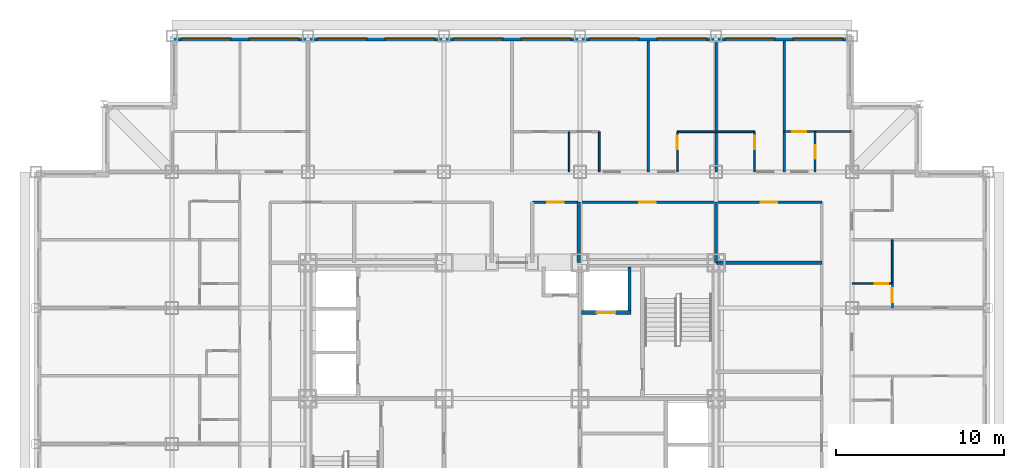
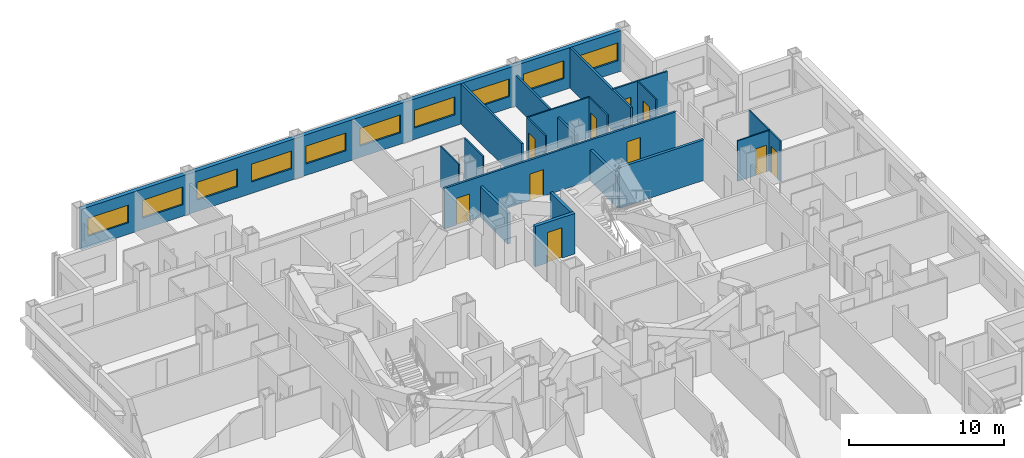
# One storey, part 10 of 12: 20 walls, 10 doors, 10 windows, 20 openings.
"""IFC4 building model written with IfcOpenShell, lengths in metres."""

from ifc_helpers import new_model, si_unit, direction, frame, frame_2d, origin, place, context, subcontext, project, spatial, rectangle, extrude, material, layer, layer_set, type_object, element, fill, save


model = new_model("IFC4")

# Units and contexts
model_context = context("Model", 3, precision=1e-05, world=origin(), true_north=direction((0.0, 1.0)))
body_context = subcontext(model_context, "Body", "Model", "MODEL_VIEW")
ifc_project = project(units=[si_unit("LENGTHUNIT", "METRE"), si_unit("AREAUNIT", "SQUARE_METRE"), si_unit("VOLUMEUNIT", "CUBIC_METRE"), si_unit("PLANEANGLEUNIT", "RADIAN"), si_unit("MASSUNIT", "GRAM", prefix="KILO")], contexts=[model_context])

# Site, building, storey
site_placement = place(None, origin())
site = spatial("IfcSite", under=ifc_project, at=site_placement, CompositionType="ELEMENT")
building_placement = place(site_placement, origin())
building = spatial("IfcBuilding", under=site, at=building_placement, Name="Kopane Lantern Tower", CompositionType="ELEMENT")
storey_placement = place(building_placement, frame((0.0, 0.0, 144.199951171875)))
storey = spatial("IfcBuildingStorey", under=building, at=storey_placement, Name="L37", CompositionType="ELEMENT", Elevation=144.199951171875)

# Wall, opening, door
ifc_material_1 = material(Name="Gypsum board on steel studs", Category="steel")
ifc_layer_1 = layer(ifc_material_1, 0.1201171875)
ifc_layer_set_1 = layer_set([ifc_layer_1], Name="APARTMENT INTERNAL WALL 120")
wall_type_1 = type_object("IfcWallType", Name="APARTMENT INTERNAL WALL 120", PredefinedType="PARTITIONING", material=ifc_layer_set_1)
wall_1_placement = place(storey_placement, frame((44.550048828125, 48.300048828125, 0.0), z_axis=(0.0, 0.0, 1.0), x_axis=(1.0, 0.0, 0.0)))
wall_1 = element("IfcWall", 1, at=wall_1_placement, inside=storey, type_object=wall_type_1, Name="Apartment Internal Wall 120 L37", PredefinedType="PARTITIONING", context=body_context, shape_type="SweptSolid", body=[
    extrude(rectangle(XDim=4.050048828125, YDim=0.1201171875, at=frame_2d((2.02490234375, 0.0))), origin(), (0.0, 0.0, 1.0), 3.18994140625),
])
opening_1_placement = place(wall_1_placement, frame((0.47509765625, 0.0, 0.0)))
opening_1 = element("IfcOpeningElement", 2, at=opening_1_placement, cuts=wall_1, Name="Opening L37-068", PredefinedType="OPENING", context=body_context, shape_type="SweptSolid", body=[
    extrude(rectangle(XDim=0.85009765625, YDim=2.10009765625, at=frame_2d((0.425048828125, 1.050048828125))), frame((0.0, 0.070068359375, 0.0), z_axis=(0.0, -1.0, 0.0), x_axis=(1.0, 0.0, 0.0)), (0.0, 0.0, 1.0), 0.14013671875),
])
ifc_material_2 = material(Name="Timber door set", Category="wood")
door_type_1 = type_object("IfcDoorType", Name="DOOR D4 850x2100", OperationType="SINGLE_SWING_LEFT", PredefinedType="DOOR", material=ifc_material_2)
door_1_placement = place(opening_1_placement, origin())
door_1 = element("IfcDoor", 3, at=door_1_placement, inside=storey, type_object=door_type_1, Name="Door L37-068", OperationType="SINGLE_SWING_LEFT", OverallHeight=2.10009765625, OverallWidth=0.85009765625, PredefinedType="DOOR", context=body_context, shape_type="SweptSolid", body=[
    extrude(rectangle(XDim=0.85009765625, YDim=2.10009765625, at=frame_2d((0.425048828125, 1.050048828125))), frame((0.0, 0.02490234375, 0.0), z_axis=(0.0, -1.0, 0.0), x_axis=(1.0, 0.0, 0.0)), (0.0, 0.0, 1.0), 0.050048828125),
])
fill(opening_1, door_1)

wall_2_placement = place(storey_placement, frame((51.0, 39.260009765625, 0.0), z_axis=(0.0, 0.0, 1.0), x_axis=(0.0, -1.0, 0.0)))
wall_2 = element("IfcWall", 4, at=wall_2_placement, inside=storey, type_object=wall_type_1, Name="Apartment Internal Wall 120 L37", PredefinedType="PARTITIONING", context=body_context, shape_type="SweptSolid", body=[
    extrude(rectangle(XDim=1.4599609375, YDim=0.1201171875, at=frame_2d((0.72998046875, 0.0))), origin(), (0.0, 0.0, 1.0), 3.18994140625),
])
opening_2_placement = place(wall_2_placement, frame((0.27490234375, 0.0, 0.0)))
opening_2 = element("IfcOpeningElement", 5, at=opening_2_placement, cuts=wall_2, Name="Opening L37-080", PredefinedType="OPENING", context=body_context, shape_type="SweptSolid", body=[
    extrude(rectangle(XDim=0.85009765625, YDim=2.10009765625, at=frame_2d((0.425048828125, 1.050048828125))), frame((0.0, 0.070068359375, 0.0), z_axis=(0.0, -1.0, 0.0), x_axis=(1.0, 0.0, 0.0)), (0.0, 0.0, 1.0), 0.14013671875),
])
door_2_placement = place(opening_2_placement, origin())
door_2 = element("IfcDoor", 6, at=door_2_placement, inside=storey, type_object=door_type_1, Name="Door L37-080", OperationType="SINGLE_SWING_RIGHT", OverallHeight=2.10009765625, OverallWidth=0.85009765625, PredefinedType="DOOR", context=body_context, shape_type="SweptSolid", body=[
    extrude(rectangle(XDim=0.85009765625, YDim=2.10009765625, at=frame_2d((0.425048828125, 1.050048828125))), frame((0.0, 0.02490234375, 0.0), z_axis=(0.0, -1.0, 0.0), x_axis=(1.0, 0.0, 0.0)), (0.0, 0.0, 1.0), 0.050048828125),
])
fill(opening_2, door_2)

# Walls
ifc_material_3 = material(Name="Moisture-resistant board on steel studs", Category="steel")
ifc_layer_2 = layer(ifc_material_3, 0.10009765625)
ifc_layer_set_2 = layer_set([ifc_layer_2], Name="BATHROOM WALL 100")
wall_type_2 = type_object("IfcWallType", Name="BATHROOM WALL 100", PredefinedType="PARTITIONING", material=ifc_layer_set_2)
for number, where, z_axis, x_axis, name in (
    (7, (31.75, 45.89990234375, 0.0), (0.0, 0.0, 1.0), (0.0, 1.0, 0.0), "Bathroom Wall 100 L37"),
    (8, (33.550048828125, 45.89990234375, 0.0), (0.0, 0.0, 1.0), (0.0, 1.0, 0.0), "Bathroom Wall 100 L37"),
):
    element("IfcWall", number, at=place(storey_placement, frame(where, z_axis=z_axis, x_axis=x_axis)), inside=storey, type_object=wall_type_2, Name=name, PredefinedType="PARTITIONING", context=body_context, shape_type="SweptSolid", body=[
        extrude(rectangle(XDim=2.400146484375, YDim=0.10009765625, at=frame_2d((1.2001953125, 0.0))), origin(), (0.0, 0.0, 1.0), 3.18994140625),
    ])
wall_3_placement = place(storey_placement, frame((38.199951171875, 48.300048828125, 0.0), z_axis=(0.0, 0.0, 1.0), x_axis=(1.0, 0.0, 0.0)))
element("IfcWall", 9, at=wall_3_placement, inside=storey, type_object=wall_type_2, Name="Bathroom Wall 100 L37", PredefinedType="PARTITIONING", context=body_context, shape_type="SweptSolid", body=[
    extrude(rectangle(XDim=4.60009765625, YDim=0.10009765625, at=frame_2d((2.300048828125, 0.0))), origin(), (0.0, 0.0, 1.0), 3.18994140625),
])

# Wall, opening, door
wall_4_placement = place(storey_placement, frame((38.199951171875, 45.89990234375, 0.0), z_axis=(0.0, 0.0, 1.0), x_axis=(0.0, 1.0, 0.0)))
wall_4 = element("IfcWall", 10, at=wall_4_placement, inside=storey, type_object=wall_type_2, Name="Bathroom Wall 100 L37", PredefinedType="PARTITIONING", context=body_context, shape_type="SweptSolid", body=[
    extrude(rectangle(XDim=2.400146484375, YDim=0.10009765625, at=frame_2d((1.2001953125, 0.0))), origin(), (0.0, 0.0, 1.0), 3.18994140625),
])
opening_3_placement = place(wall_4_placement, frame((1.35009765625, 0.0, 0.0)))
opening_3 = element("IfcOpeningElement", 11, at=opening_3_placement, cuts=wall_4, Name="Opening L37-030", PredefinedType="OPENING", context=body_context, shape_type="SweptSolid", body=[
    extrude(rectangle(XDim=0.800048828125, YDim=2.10009765625, at=frame_2d((0.39990234375, 1.050048828125))), frame((0.0, 0.06005859375, 0.0), z_axis=(0.0, -1.0, 0.0), x_axis=(1.0, 0.0, 0.0)), (0.0, 0.0, 1.0), 0.1201171875),
])
ifc_material_4 = material(Name="Timber door set", Category="wood")
door_type_2 = type_object("IfcDoorType", Name="DOOR D2 800x2100", OperationType="SINGLE_SWING_LEFT", PredefinedType="DOOR", material=ifc_material_4)
door_3_placement = place(opening_3_placement, origin())
door_3 = element("IfcDoor", 12, at=door_3_placement, inside=storey, type_object=door_type_2, Name="Door L37-030", OperationType="SINGLE_SWING_LEFT", OverallHeight=2.10009765625, OverallWidth=0.800048828125, PredefinedType="DOOR", context=body_context, shape_type="SweptSolid", body=[
    extrude(rectangle(XDim=0.800048828125, YDim=2.10009765625, at=frame_2d((0.39990234375, 1.050048828125))), frame((0.0, 0.02490234375, 0.0), z_axis=(0.0, -1.0, 0.0), x_axis=(1.0, 0.0, 0.0)), (0.0, 0.0, 1.0), 0.050048828125),
])
fill(opening_3, door_3)

wall_5_placement = place(storey_placement, frame((42.800048828125, 45.89990234375, 0.0), z_axis=(0.0, 0.0, 1.0), x_axis=(0.0, 1.0, 0.0)))
wall_5 = element("IfcWall", 13, at=wall_5_placement, inside=storey, type_object=wall_type_2, Name="Bathroom Wall 100 L37", PredefinedType="PARTITIONING", context=body_context, shape_type="SweptSolid", body=[
    extrude(rectangle(XDim=2.400146484375, YDim=0.10009765625, at=frame_2d((1.2001953125, 0.0))), origin(), (0.0, 0.0, 1.0), 3.18994140625),
])
opening_4_placement = place(wall_5_placement, frame((1.35009765625, 0.0, 0.0)))
opening_4 = element("IfcOpeningElement", 14, at=opening_4_placement, cuts=wall_5, Name="Opening L37-032", PredefinedType="OPENING", context=body_context, shape_type="SweptSolid", body=[
    extrude(rectangle(XDim=0.800048828125, YDim=2.10009765625, at=frame_2d((0.39990234375, 1.050048828125))), frame((0.0, 0.06005859375, 0.0), z_axis=(0.0, -1.0, 0.0), x_axis=(1.0, 0.0, 0.0)), (0.0, 0.0, 1.0), 0.1201171875),
])
door_4_placement = place(opening_4_placement, origin())
door_4 = element("IfcDoor", 15, at=door_4_placement, inside=storey, type_object=door_type_2, Name="Door L37-032", OperationType="SINGLE_SWING_RIGHT", OverallHeight=2.10009765625, OverallWidth=0.800048828125, PredefinedType="DOOR", context=body_context, shape_type="SweptSolid", body=[
    extrude(rectangle(XDim=0.800048828125, YDim=2.10009765625, at=frame_2d((0.39990234375, 1.050048828125))), frame((0.0, 0.02490234375, 0.0), z_axis=(0.0, -1.0, 0.0), x_axis=(1.0, 0.0, 0.0)), (0.0, 0.0, 1.0), 0.050048828125),
])
fill(opening_4, door_4)

# Wall
wall_6_placement = place(storey_placement, frame((51.0, 39.25, 0.0), z_axis=(0.0, 0.0, 1.0), x_axis=(0.0, 1.0, 0.0)))
element("IfcWall", 16, at=wall_6_placement, inside=storey, type_object=wall_type_2, Name="Bathroom Wall 100 L37", PredefinedType="PARTITIONING", context=body_context, shape_type="SweptSolid", body=[
    extrude(rectangle(XDim=2.60009765625, YDim=0.10009765625, at=frame_2d((1.300048828125, 0.0))), origin(), (0.0, 0.0, 1.0), 3.18994140625),
])

# Wall, opening, door
wall_7_placement = place(storey_placement, frame((48.60009765625, 39.25, 0.0), z_axis=(0.0, 0.0, 1.0), x_axis=(1.0, 0.0, 0.0)))
wall_7 = element("IfcWall", 17, at=wall_7_placement, inside=storey, type_object=wall_type_2, Name="Bathroom Wall 100 L37", PredefinedType="PARTITIONING", context=body_context, shape_type="SweptSolid", body=[
    extrude(rectangle(XDim=2.39990234375, YDim=0.10009765625, at=frame_2d((1.199951171875, 0.0))), origin(), (0.0, 0.0, 1.0), 3.18994140625),
])
opening_5_placement = place(wall_7_placement, frame((1.35009765625, 0.0, 0.0)))
opening_5 = element("IfcOpeningElement", 18, at=opening_5_placement, cuts=wall_7, Name="Opening L37-052", PredefinedType="OPENING", context=body_context, shape_type="SweptSolid", body=[
    extrude(rectangle(XDim=0.800048828125, YDim=2.10009765625, at=frame_2d((0.39990234375, 1.050048828125))), frame((0.0, 0.06005859375, 0.0), z_axis=(0.0, -1.0, 0.0), x_axis=(1.0, 0.0, 0.0)), (0.0, 0.0, 1.0), 0.1201171875),
])
door_5_placement = place(opening_5_placement, origin())
door_5 = element("IfcDoor", 19, at=door_5_placement, inside=storey, type_object=door_type_2, Name="Door L37-052", OperationType="SINGLE_SWING_LEFT", OverallHeight=2.10009765625, OverallWidth=0.800048828125, PredefinedType="DOOR", context=body_context, shape_type="SweptSolid", body=[
    extrude(rectangle(XDim=0.800048828125, YDim=2.10009765625, at=frame_2d((0.39990234375, 1.050048828125))), frame((0.0, 0.02490234375, 0.0), z_axis=(0.0, -1.0, 0.0), x_axis=(1.0, 0.0, 0.0)), (0.0, 0.0, 1.0), 0.050048828125),
])
fill(opening_5, door_5)

wall_8_placement = place(storey_placement, frame((46.39990234375, 45.89990234375, 0.0), z_axis=(0.0, 0.0, 1.0), x_axis=(0.0, 1.0, 0.0)))
wall_8 = element("IfcWall", 20, at=wall_8_placement, inside=storey, type_object=wall_type_2, Name="Bathroom Wall 100 L37", PredefinedType="PARTITIONING", context=body_context, shape_type="SweptSolid", body=[
    extrude(rectangle(XDim=2.400146484375, YDim=0.10009765625, at=frame_2d((1.2001953125, 0.0))), origin(), (0.0, 0.0, 1.0), 3.18994140625),
])
opening_6_placement = place(wall_8_placement, frame((0.800048828125, 0.0, 0.0)))
opening_6 = element("IfcOpeningElement", 21, at=opening_6_placement, cuts=wall_8, Name="Opening L37-066", PredefinedType="OPENING", context=body_context, shape_type="SweptSolid", body=[
    extrude(rectangle(XDim=0.800048828125, YDim=2.10009765625, at=frame_2d((0.39990234375, 1.050048828125))), frame((0.0, 0.06005859375, 0.0), z_axis=(0.0, -1.0, 0.0), x_axis=(1.0, 0.0, 0.0)), (0.0, 0.0, 1.0), 0.1201171875),
])
door_6_placement = place(opening_6_placement, origin())
door_6 = element("IfcDoor", 22, at=door_6_placement, inside=storey, type_object=door_type_2, Name="Door L37-066", OperationType="SINGLE_SWING_RIGHT", OverallHeight=2.10009765625, OverallWidth=0.800048828125, PredefinedType="DOOR", context=body_context, shape_type="SweptSolid", body=[
    extrude(rectangle(XDim=0.800048828125, YDim=2.10009765625, at=frame_2d((0.39990234375, 1.050048828125))), frame((0.0, 0.02490234375, 0.0), z_axis=(0.0, -1.0, 0.0), x_axis=(1.0, 0.0, 0.0)), (0.0, 0.0, 1.0), 0.050048828125),
])
fill(opening_6, door_6)

ifc_material_5 = material(Name="Gypsum shaft wall EI 120", Category="gypsum")
ifc_layer_3 = layer(ifc_material_5, 0.25)
ifc_layer_set_3 = layer_set([ifc_layer_3], Name="CORE SHAFT WALL 250 EI 120")
wall_type_3 = type_object("IfcWallType", Name="CORE SHAFT WALL 250 EI 120", PredefinedType="SOLIDWALL", material=ifc_layer_set_3)
wall_9_placement = place(storey_placement, frame((32.5, 37.52490234375, 0.0), z_axis=(0.0, 0.0, 1.0), x_axis=(1.0, 0.0, 0.0)))
wall_9 = element("IfcWall", 23, at=wall_9_placement, inside=storey, type_object=wall_type_3, Name="Core shaft wall L37 YLF2", PredefinedType="SOLIDWALL", context=body_context, shape_type="SweptSolid", body=[
    extrude(rectangle(XDim=2.949951171875, YDim=0.25, at=frame_2d((1.47509765625, 0.0))), origin(), (0.0, 0.0, 1.0), 3.18994140625),
])
opening_7_placement = place(wall_9_placement, frame((0.89990234375, 0.0, 0.0)))
opening_7 = element("IfcOpeningElement", 24, at=opening_7_placement, cuts=wall_9, Name="Opening 37.LD-LF2", PredefinedType="OPENING", context=body_context, shape_type="SweptSolid", body=[
    extrude(rectangle(XDim=1.10009765625, YDim=2.39990234375, at=frame_2d((0.550048828125, 1.199951171875))), frame((0.0, 0.135009765625, 0.0), z_axis=(0.0, -1.0, 0.0), x_axis=(1.0, 0.0, 0.0)), (0.0, 0.0, 1.0), 0.27001953125),
])
ifc_material_6 = material(Name="Steel door set", Category="steel")
door_type_3 = type_object("IfcDoorType", Name="LIFT LANDING DOOR 1100x2400 FD60", OperationType="DOUBLE_DOOR_SLIDING", PredefinedType="DOOR", material=ifc_material_6)
door_7_placement = place(opening_7_placement, origin())
door_7 = element("IfcDoor", 25, at=door_7_placement, inside=storey, type_object=door_type_3, Name="Landing door LF2 L37", OperationType="DOUBLE_DOOR_SLIDING", OverallHeight=2.39990234375, OverallWidth=1.10009765625, PredefinedType="DOOR", context=body_context, shape_type="SweptSolid", body=[
    extrude(rectangle(XDim=1.10009765625, YDim=2.39990234375, at=frame_2d((0.550048828125, 1.199951171875))), frame((0.0, 0.02490234375, 0.0), z_axis=(0.0, -1.0, 0.0), x_axis=(1.0, 0.0, 0.0)), (0.0, 0.0, 1.0), 0.050048828125),
])
fill(opening_7, door_7)

# Wall, openings, doors
ifc_material_7 = material(Name="Gypsum board on steel studs", Category="steel")
ifc_layer_4 = layer(ifc_material_7, 0.14990234375)
ifc_layer_set_4 = layer_set([ifc_layer_4], Name="CORRIDOR WALL 150 EI 60")
wall_type_4 = type_object("IfcWallType", Name="CORRIDOR WALL 150 EI 60", PredefinedType="PARTITIONING", material=ifc_layer_set_4)
wall_10_placement = place(storey_placement, frame((46.800048828125, 44.10009765625, 0.0), z_axis=(0.0, 0.0, 1.0), x_axis=(-1.0, 0.0, 0.0)))
wall_10 = element("IfcWall", 26, at=wall_10_placement, inside=storey, type_object=wall_type_4, Name="Corridor Wall 150 Ei 60 L37", PredefinedType="PARTITIONING", context=body_context, shape_type="SweptSolid", body=[
    extrude(rectangle(XDim=17.239990234375, YDim=0.14990234375, at=frame_2d((8.6201171875, 0.0))), origin(), (0.0, 0.0, 1.0), 3.18994140625),
])
opening_8_placement = place(wall_10_placement, frame((15.361083984375, 0.0, 0.0)))
opening_8 = element("IfcOpeningElement", 27, at=opening_8_placement, cuts=wall_10, Name="Opening L37-009", PredefinedType="OPENING", context=body_context, shape_type="SweptSolid", body=[
    extrude(rectangle(XDim=1.0, YDim=2.10009765625, at=frame_2d((0.5, 1.050048828125))), frame((0.0, 0.0849609375, 0.0), z_axis=(0.0, -1.0, 0.0), x_axis=(1.0, 0.0, 0.0)), (0.0, 0.0, 1.0), 0.169921875),
])
opening_9_placement = place(wall_10_placement, frame((9.885986328125, 0.0, 0.0)))
opening_9 = element("IfcOpeningElement", 28, at=opening_9_placement, cuts=wall_10, Name="Opening L37-010", PredefinedType="OPENING", context=body_context, shape_type="SweptSolid", body=[
    extrude(rectangle(XDim=1.0, YDim=2.10009765625, at=frame_2d((0.5, 1.050048828125))), frame((0.0, 0.0849609375, 0.0), z_axis=(0.0, -1.0, 0.0), x_axis=(1.0, 0.0, 0.0)), (0.0, 0.0, 1.0), 0.169921875),
])
opening_10_placement = place(wall_10_placement, frame((2.64990234375, 0.0, 0.0)))
opening_10 = element("IfcOpeningElement", 29, at=opening_10_placement, cuts=wall_10, Name="Opening L37-011", PredefinedType="OPENING", context=body_context, shape_type="SweptSolid", body=[
    extrude(rectangle(XDim=1.0, YDim=2.10009765625, at=frame_2d((0.5, 1.050048828125))), frame((0.0, 0.0849609375, 0.0), z_axis=(0.0, -1.0, 0.0), x_axis=(1.0, 0.0, 0.0)), (0.0, 0.0, 1.0), 0.169921875),
])
ifc_material_8 = material(Name="Steel door set", Category="steel")
door_type_4 = type_object("IfcDoorType", Name="DOOR D5 1000x2100 FD60", OperationType="SINGLE_SWING_LEFT", PredefinedType="DOOR", material=ifc_material_8)
door_8_placement = place(opening_8_placement, origin())
door_8 = element("IfcDoor", 30, at=door_8_placement, inside=storey, type_object=door_type_4, Name="Door L37-009", OperationType="SINGLE_SWING_LEFT", OverallHeight=2.10009765625, OverallWidth=1.0, PredefinedType="DOOR", context=body_context, shape_type="SweptSolid", body=[
    extrude(rectangle(XDim=1.0, YDim=2.10009765625, at=frame_2d((0.5, 1.050048828125))), frame((0.0, 0.02490234375, 0.0), z_axis=(0.0, -1.0, 0.0), x_axis=(1.0, 0.0, 0.0)), (0.0, 0.0, 1.0), 0.050048828125),
])
fill(opening_8, door_8)
door_9_placement = place(opening_9_placement, origin())
door_9 = element("IfcDoor", 31, at=door_9_placement, inside=storey, type_object=door_type_4, Name="Door L37-010", OperationType="SINGLE_SWING_RIGHT", OverallHeight=2.10009765625, OverallWidth=1.0, PredefinedType="DOOR", context=body_context, shape_type="SweptSolid", body=[
    extrude(rectangle(XDim=1.0, YDim=2.10009765625, at=frame_2d((0.5, 1.050048828125))), frame((0.0, 0.02490234375, 0.0), z_axis=(0.0, -1.0, 0.0), x_axis=(1.0, 0.0, 0.0)), (0.0, 0.0, 1.0), 0.050048828125),
])
fill(opening_9, door_9)
door_10_placement = place(opening_10_placement, origin())
door_10 = element("IfcDoor", 32, at=door_10_placement, inside=storey, type_object=door_type_4, Name="Door L37-011", OperationType="SINGLE_SWING_LEFT", OverallHeight=2.10009765625, OverallWidth=1.0, PredefinedType="DOOR", context=body_context, shape_type="SweptSolid", body=[
    extrude(rectangle(XDim=1.0, YDim=2.10009765625, at=frame_2d((0.5, 1.050048828125))), frame((0.0, 0.02490234375, 0.0), z_axis=(0.0, -1.0, 0.0), x_axis=(1.0, 0.0, 0.0)), (0.0, 0.0, 1.0), 0.050048828125),
])
fill(opening_10, door_10)

# Walls
ifc_material_9 = material(Name="Gypsum board on steel studs", Category="steel")
ifc_layer_5 = layer(ifc_material_9, 0.14990234375)
ifc_layer_set_5 = layer_set([ifc_layer_5], Name="DEMISING WALL 150 EI 60")
wall_type_5 = type_object("IfcWallType", Name="DEMISING WALL 150 EI 60", PredefinedType="PARTITIONING", material=ifc_layer_set_5)
wall_11_placement = place(storey_placement, frame((36.449951171875, 45.89990234375, 0.0), z_axis=(0.0, 0.0, 1.0), x_axis=(0.0, 1.0, 0.0)))
element("IfcWall", 33, at=wall_11_placement, inside=storey, type_object=wall_type_5, Name="Demising Wall 150 Ei 60 L37", PredefinedType="PARTITIONING", context=body_context, shape_type="SweptSolid", body=[
    extrude(rectangle(XDim=7.800048828125, YDim=0.14990234375, at=frame_2d((3.89990234375, 0.0))), origin(), (0.0, 0.0, 1.0), 3.18994140625),
])
wall_12_placement = place(storey_placement, frame((40.5, 45.89990234375, 0.0), z_axis=(0.0, 0.0, 1.0), x_axis=(0.0, 1.0, 0.0)))
element("IfcWall", 34, at=wall_12_placement, inside=storey, type_object=wall_type_5, Name="Demising Wall 150 Ei 60 L37", PredefinedType="PARTITIONING", context=body_context, shape_type="SweptSolid", body=[
    extrude(rectangle(XDim=7.800048828125, YDim=0.14990234375, at=frame_2d((3.89990234375, 0.0))), origin(), (0.0, 0.0, 1.0), 2.420166015625),
])
wall_13_placement = place(storey_placement, frame((44.550048828125, 45.89990234375, 0.0), z_axis=(0.0, 0.0, 1.0), x_axis=(0.0, 1.0, 0.0)))
element("IfcWall", 35, at=wall_13_placement, inside=storey, type_object=wall_type_5, Name="Demising Wall 150 Ei 60 L37", PredefinedType="PARTITIONING", context=body_context, shape_type="SweptSolid", body=[
    extrude(rectangle(XDim=7.800048828125, YDim=0.14990234375, at=frame_2d((3.89990234375, 0.0))), origin(), (0.0, 0.0, 1.0), 3.18994140625),
])

# Wall, openings, windows
ifc_material_10 = material(Name="Terracotta rainscreen on light steel framing", Category="masonry")
ifc_layer_6 = layer(ifc_material_10, 0.300048828125)
ifc_layer_set_6 = layer_set([ifc_layer_6], Name="EXTERNAL WALL EW1 300 TERRACOTTA")
wall_type_6 = type_object("IfcWallType", Name="EXTERNAL WALL EW1 300 TERRACOTTA", PredefinedType="SOLIDWALL", material=ifc_layer_set_6)
wall_14_placement = place(storey_placement, frame((48.300048828125, 53.85009765625, 0.0), z_axis=(0.0, 0.0, 1.0), x_axis=(-1.0, 0.0, 0.0)))
wall_14 = element("IfcWall", 36, at=wall_14_placement, inside=storey, type_object=wall_type_6, Name="External wall N L37", PredefinedType="SOLIDWALL", context=body_context, shape_type="SweptSolid", body=[
    extrude(rectangle(XDim=40.199951171875, YDim=0.300048828125, at=frame_2d((20.10009765625, 0.0))), origin(), (0.0, 0.0, 1.0), 3.18994140625),
])
opening_11_placement = place(wall_14_placement, frame((0.22509765625, 0.0, 0.89990234375)))
opening_11 = element("IfcOpeningElement", 37, at=opening_11_placement, cuts=wall_14, Name="Opening WR300140", PredefinedType="OPENING", context=body_context, shape_type="SweptSolid", body=[
    extrude(rectangle(XDim=3.0, YDim=1.39990234375, at=frame_2d((1.5, 0.699951171875))), frame((0.0, 0.159912109375, 0.0), z_axis=(0.0, -1.0, 0.0), x_axis=(1.0, 0.0, 0.0)), (0.0, 0.0, 1.0), 0.320068359375),
])
opening_12_placement = place(wall_14_placement, frame((4.27490234375, 0.0, 0.89990234375)))
opening_12 = element("IfcOpeningElement", 38, at=opening_12_placement, cuts=wall_14, Name="Opening WR300140", PredefinedType="OPENING", context=body_context, shape_type="SweptSolid", body=[
    extrude(rectangle(XDim=3.0, YDim=1.39990234375, at=frame_2d((1.5, 0.699951171875))), frame((0.0, 0.159912109375, 0.0), z_axis=(0.0, -1.0, 0.0), x_axis=(1.0, 0.0, 0.0)), (0.0, 0.0, 1.0), 0.320068359375),
])
opening_13_placement = place(wall_14_placement, frame((8.324951171875, 0.0, 0.89990234375)))
opening_13 = element("IfcOpeningElement", 39, at=opening_13_placement, cuts=wall_14, Name="Opening WR300140", PredefinedType="OPENING", context=body_context, shape_type="SweptSolid", body=[
    extrude(rectangle(XDim=3.0, YDim=1.39990234375, at=frame_2d((1.5, 0.699951171875))), frame((0.0, 0.159912109375, 0.0), z_axis=(0.0, -1.0, 0.0), x_axis=(1.0, 0.0, 0.0)), (0.0, 0.0, 1.0), 0.320068359375),
])
opening_14_placement = place(wall_14_placement, frame((12.375, 0.0, 0.89990234375)))
opening_14 = element("IfcOpeningElement", 40, at=opening_14_placement, cuts=wall_14, Name="Opening WR300140", PredefinedType="OPENING", context=body_context, shape_type="SweptSolid", body=[
    extrude(rectangle(XDim=3.0, YDim=1.39990234375, at=frame_2d((1.5, 0.699951171875))), frame((0.0, 0.159912109375, 0.0), z_axis=(0.0, -1.0, 0.0), x_axis=(1.0, 0.0, 0.0)), (0.0, 0.0, 1.0), 0.320068359375),
])
opening_15_placement = place(wall_14_placement, frame((16.425048828125, 0.0, 0.89990234375)))
opening_15 = element("IfcOpeningElement", 41, at=opening_15_placement, cuts=wall_14, Name="Opening WR300140", PredefinedType="OPENING", context=body_context, shape_type="SweptSolid", body=[
    extrude(rectangle(XDim=3.0, YDim=1.39990234375, at=frame_2d((1.5, 0.699951171875))), frame((0.0, 0.159912109375, 0.0), z_axis=(0.0, -1.0, 0.0), x_axis=(1.0, 0.0, 0.0)), (0.0, 0.0, 1.0), 0.320068359375),
])
opening_16_placement = place(wall_14_placement, frame((20.47509765625, 0.0, 0.89990234375)))
opening_16 = element("IfcOpeningElement", 42, at=opening_16_placement, cuts=wall_14, Name="Opening WR300140", PredefinedType="OPENING", context=body_context, shape_type="SweptSolid", body=[
    extrude(rectangle(XDim=3.0, YDim=1.39990234375, at=frame_2d((1.5, 0.699951171875))), frame((0.0, 0.159912109375, 0.0), z_axis=(0.0, -1.0, 0.0), x_axis=(1.0, 0.0, 0.0)), (0.0, 0.0, 1.0), 0.320068359375),
])
opening_17_placement = place(wall_14_placement, frame((24.52490234375, 0.0, 0.89990234375)))
opening_17 = element("IfcOpeningElement", 43, at=opening_17_placement, cuts=wall_14, Name="Opening WR300140", PredefinedType="OPENING", context=body_context, shape_type="SweptSolid", body=[
    extrude(rectangle(XDim=3.0, YDim=1.39990234375, at=frame_2d((1.5, 0.699951171875))), frame((0.0, 0.159912109375, 0.0), z_axis=(0.0, -1.0, 0.0), x_axis=(1.0, 0.0, 0.0)), (0.0, 0.0, 1.0), 0.320068359375),
])
opening_18_placement = place(wall_14_placement, frame((28.574951171875, 0.0, 0.89990234375)))
opening_18 = element("IfcOpeningElement", 44, at=opening_18_placement, cuts=wall_14, Name="Opening WR300140", PredefinedType="OPENING", context=body_context, shape_type="SweptSolid", body=[
    extrude(rectangle(XDim=3.0, YDim=1.39990234375, at=frame_2d((1.5, 0.699951171875))), frame((0.0, 0.159912109375, 0.0), z_axis=(0.0, -1.0, 0.0), x_axis=(1.0, 0.0, 0.0)), (0.0, 0.0, 1.0), 0.320068359375),
])
opening_19_placement = place(wall_14_placement, frame((32.625, 0.0, 0.89990234375)))
opening_19 = element("IfcOpeningElement", 45, at=opening_19_placement, cuts=wall_14, Name="Opening WR300140", PredefinedType="OPENING", context=body_context, shape_type="SweptSolid", body=[
    extrude(rectangle(XDim=3.0, YDim=1.39990234375, at=frame_2d((1.5, 0.699951171875))), frame((0.0, 0.159912109375, 0.0), z_axis=(0.0, -1.0, 0.0), x_axis=(1.0, 0.0, 0.0)), (0.0, 0.0, 1.0), 0.320068359375),
])
opening_20_placement = place(wall_14_placement, frame((36.675048828125, 0.0, 0.89990234375)))
opening_20 = element("IfcOpeningElement", 46, at=opening_20_placement, cuts=wall_14, Name="Opening WR300140", PredefinedType="OPENING", context=body_context, shape_type="SweptSolid", body=[
    extrude(rectangle(XDim=3.0, YDim=1.39990234375, at=frame_2d((1.5, 0.699951171875))), frame((0.0, 0.159912109375, 0.0), z_axis=(0.0, -1.0, 0.0), x_axis=(1.0, 0.0, 0.0)), (0.0, 0.0, 1.0), 0.320068359375),
])
ifc_material_11 = material(Name="Aluminium and clear glass", Category="aluminium")
window_type = type_object("IfcWindowType", Name="RIBBON WINDOW WR300140 3000x1400", PartitioningType="SINGLE_PANEL", PredefinedType="WINDOW", material=ifc_material_11)
window_1_placement = place(opening_11_placement, origin())
window_1 = element("IfcWindow", 47, at=window_1_placement, inside=storey, type_object=window_type, Name="Window N L37", OverallHeight=1.39990234375, OverallWidth=3.0, PartitioningType="SINGLE_PANEL", PredefinedType="WINDOW", context=body_context, shape_type="SweptSolid", body=[
    extrude(rectangle(XDim=3.0, YDim=1.39990234375, at=frame_2d((1.5, 0.699951171875))), frame((0.0, 0.030029296875, 0.0), z_axis=(0.0, -1.0, 0.0), x_axis=(1.0, 0.0, 0.0)), (0.0, 0.0, 1.0), 0.06005859375),
])
fill(opening_11, window_1)
window_2_placement = place(opening_12_placement, origin())
window_2 = element("IfcWindow", 48, at=window_2_placement, inside=storey, type_object=window_type, Name="Window N L37", OverallHeight=1.39990234375, OverallWidth=3.0, PartitioningType="SINGLE_PANEL", PredefinedType="WINDOW", context=body_context, shape_type="SweptSolid", body=[
    extrude(rectangle(XDim=3.0, YDim=1.39990234375, at=frame_2d((1.5, 0.699951171875))), frame((0.0, 0.030029296875, 0.0), z_axis=(0.0, -1.0, 0.0), x_axis=(1.0, 0.0, 0.0)), (0.0, 0.0, 1.0), 0.06005859375),
])
fill(opening_12, window_2)
window_3_placement = place(opening_13_placement, origin())
window_3 = element("IfcWindow", 49, at=window_3_placement, inside=storey, type_object=window_type, Name="Window N L37", OverallHeight=1.39990234375, OverallWidth=3.0, PartitioningType="SINGLE_PANEL", PredefinedType="WINDOW", context=body_context, shape_type="SweptSolid", body=[
    extrude(rectangle(XDim=3.0, YDim=1.39990234375, at=frame_2d((1.5, 0.699951171875))), frame((0.0, 0.030029296875, 0.0), z_axis=(0.0, -1.0, 0.0), x_axis=(1.0, 0.0, 0.0)), (0.0, 0.0, 1.0), 0.06005859375),
])
fill(opening_13, window_3)
window_4_placement = place(opening_14_placement, origin())
window_4 = element("IfcWindow", 50, at=window_4_placement, inside=storey, type_object=window_type, Name="Window N L37", OverallHeight=1.39990234375, OverallWidth=3.0, PartitioningType="SINGLE_PANEL", PredefinedType="WINDOW", context=body_context, shape_type="SweptSolid", body=[
    extrude(rectangle(XDim=3.0, YDim=1.39990234375, at=frame_2d((1.5, 0.699951171875))), frame((0.0, 0.030029296875, 0.0), z_axis=(0.0, -1.0, 0.0), x_axis=(1.0, 0.0, 0.0)), (0.0, 0.0, 1.0), 0.06005859375),
])
fill(opening_14, window_4)
window_5_placement = place(opening_15_placement, origin())
window_5 = element("IfcWindow", 51, at=window_5_placement, inside=storey, type_object=window_type, Name="Window N L37", OverallHeight=1.39990234375, OverallWidth=3.0, PartitioningType="SINGLE_PANEL", PredefinedType="WINDOW", context=body_context, shape_type="SweptSolid", body=[
    extrude(rectangle(XDim=3.0, YDim=1.39990234375, at=frame_2d((1.5, 0.699951171875))), frame((0.0, 0.030029296875, 0.0), z_axis=(0.0, -1.0, 0.0), x_axis=(1.0, 0.0, 0.0)), (0.0, 0.0, 1.0), 0.06005859375),
])
fill(opening_15, window_5)
window_6_placement = place(opening_16_placement, origin())
window_6 = element("IfcWindow", 52, at=window_6_placement, inside=storey, type_object=window_type, Name="Window N L37", OverallHeight=1.39990234375, OverallWidth=3.0, PartitioningType="SINGLE_PANEL", PredefinedType="WINDOW", context=body_context, shape_type="SweptSolid", body=[
    extrude(rectangle(XDim=3.0, YDim=1.39990234375, at=frame_2d((1.5, 0.699951171875))), frame((0.0, 0.030029296875, 0.0), z_axis=(0.0, -1.0, 0.0), x_axis=(1.0, 0.0, 0.0)), (0.0, 0.0, 1.0), 0.06005859375),
])
fill(opening_16, window_6)
window_7_placement = place(opening_17_placement, origin())
window_7 = element("IfcWindow", 53, at=window_7_placement, inside=storey, type_object=window_type, Name="Window N L37", OverallHeight=1.39990234375, OverallWidth=3.0, PartitioningType="SINGLE_PANEL", PredefinedType="WINDOW", context=body_context, shape_type="SweptSolid", body=[
    extrude(rectangle(XDim=3.0, YDim=1.39990234375, at=frame_2d((1.5, 0.699951171875))), frame((0.0, 0.030029296875, 0.0), z_axis=(0.0, -1.0, 0.0), x_axis=(1.0, 0.0, 0.0)), (0.0, 0.0, 1.0), 0.06005859375),
])
fill(opening_17, window_7)
window_8_placement = place(opening_18_placement, origin())
window_8 = element("IfcWindow", 54, at=window_8_placement, inside=storey, type_object=window_type, Name="Window N L37", OverallHeight=1.39990234375, OverallWidth=3.0, PartitioningType="SINGLE_PANEL", PredefinedType="WINDOW", context=body_context, shape_type="SweptSolid", body=[
    extrude(rectangle(XDim=3.0, YDim=1.39990234375, at=frame_2d((1.5, 0.699951171875))), frame((0.0, 0.030029296875, 0.0), z_axis=(0.0, -1.0, 0.0), x_axis=(1.0, 0.0, 0.0)), (0.0, 0.0, 1.0), 0.06005859375),
])
fill(opening_18, window_8)
window_9_placement = place(opening_19_placement, origin())
window_9 = element("IfcWindow", 55, at=window_9_placement, inside=storey, type_object=window_type, Name="Window N L37", OverallHeight=1.39990234375, OverallWidth=3.0, PartitioningType="SINGLE_PANEL", PredefinedType="WINDOW", context=body_context, shape_type="SweptSolid", body=[
    extrude(rectangle(XDim=3.0, YDim=1.39990234375, at=frame_2d((1.5, 0.699951171875))), frame((0.0, 0.030029296875, 0.0), z_axis=(0.0, -1.0, 0.0), x_axis=(1.0, 0.0, 0.0)), (0.0, 0.0, 1.0), 0.06005859375),
])
fill(opening_19, window_9)
window_10_placement = place(opening_20_placement, origin())
window_10 = element("IfcWindow", 56, at=window_10_placement, inside=storey, type_object=window_type, Name="Window N L37", OverallHeight=1.39990234375, OverallWidth=3.0, PartitioningType="SINGLE_PANEL", PredefinedType="WINDOW", context=body_context, shape_type="SweptSolid", body=[
    extrude(rectangle(XDim=3.0, YDim=1.39990234375, at=frame_2d((1.5, 0.699951171875))), frame((0.0, 0.030029296875, 0.0), z_axis=(0.0, -1.0, 0.0), x_axis=(1.0, 0.0, 0.0)), (0.0, 0.0, 1.0), 0.06005859375),
])
fill(opening_20, window_10)

# Walls
ifc_material_12 = material(Name="Concrete masonry", Category="masonry")
ifc_layer_7 = layer(ifc_material_12, 0.199951171875)
ifc_layer_set_7 = layer_set([ifc_layer_7], Name="PLANT ROOM WALL 200 EI 120")
wall_type_7 = type_object("IfcWallType", Name="PLANT ROOM WALL 200 EI 120", PredefinedType="SOLIDWALL", material=ifc_layer_set_7)
for number, where, z_axis, x_axis, name in (
    (57, (40.5, 40.5, 0.0), (0.0, 0.0, 1.0), (0.0, 1.0, 0.0), "Plant Room Wall 200 Ei 120 L37"),
    (58, (32.327880859375, 44.10009765625, 0.0), (0.0, 0.0, 1.0), (0.0, -1.0, 0.0), "Plant Room Wall 200 Ei 120 L37"),
):
    element("IfcWall", number, at=place(storey_placement, frame(where, z_axis=z_axis, x_axis=x_axis)), inside=storey, type_object=wall_type_7, Name=name, PredefinedType="SOLIDWALL", context=body_context, shape_type="SweptSolid", body=[
        extrude(rectangle(XDim=3.60009765625, YDim=0.199951171875, at=frame_2d((1.800048828125, 0.0))), origin(), (0.0, 0.0, 1.0), 2.420166015625),
    ])
wall_15_placement = place(storey_placement, frame((40.5, 40.5, 0.0), z_axis=(0.0, 0.0, 1.0), x_axis=(1.0, 0.0, 0.0)))
element("IfcWall", 59, at=wall_15_placement, inside=storey, type_object=wall_type_7, Name="Plant Room Wall 200 Ei 120 L37", PredefinedType="SOLIDWALL", context=body_context, shape_type="SweptSolid", body=[
    extrude(rectangle(XDim=6.300048828125, YDim=0.199951171875, at=frame_2d((3.14990234375, 0.0))), origin(), (0.0, 0.0, 1.0), 3.18994140625),
])
ifc_material_13 = material(Name="Gypsum shaft wall EI 120", Category="gypsum")
ifc_layer_8 = layer(ifc_material_13, 0.199951171875)
ifc_layer_set_8 = layer_set([ifc_layer_8], Name="SHAFT WALL 200 EI 120")
wall_type_8 = type_object("IfcWallType", Name="SHAFT WALL 200 EI 120", PredefinedType="SOLIDWALL", material=ifc_layer_set_8)
wall_16_placement = place(storey_placement, frame((35.35009765625, 37.64990234375, 0.0), z_axis=(0.0, 0.0, 1.0), x_axis=(0.0, 1.0, 0.0)))
element("IfcWall", 60, at=wall_16_placement, inside=storey, type_object=wall_type_8, Name="Core shaft wall L37 XLF2", PredefinedType="SOLIDWALL", context=body_context, shape_type="SweptSolid", body=[
    extrude(rectangle(XDim=2.60009765625, YDim=0.199951171875, at=frame_2d((1.300048828125, 0.0))), origin(), (0.0, 0.0, 1.0), 3.18994140625),
])

save(model, "model.ifc")
